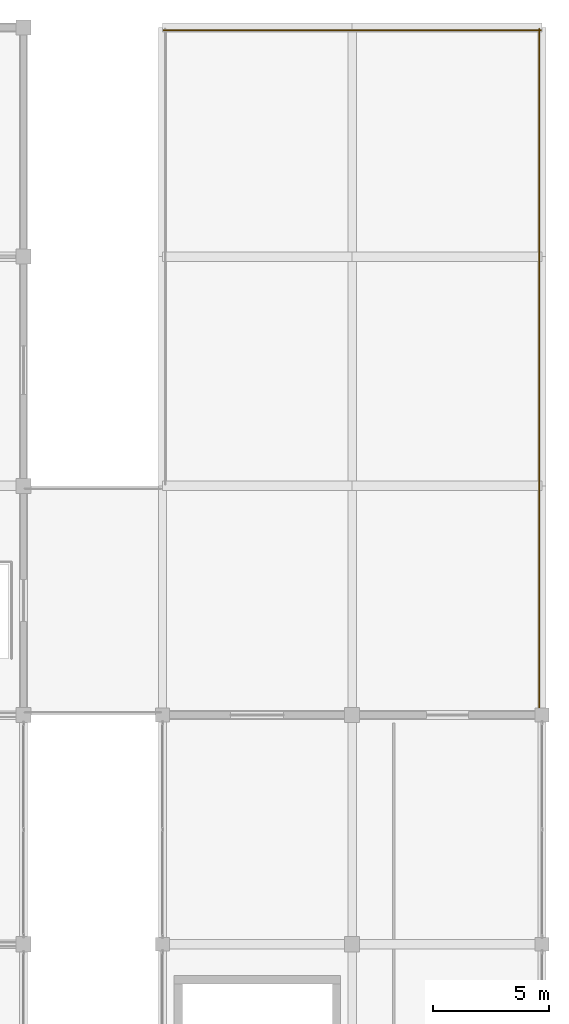
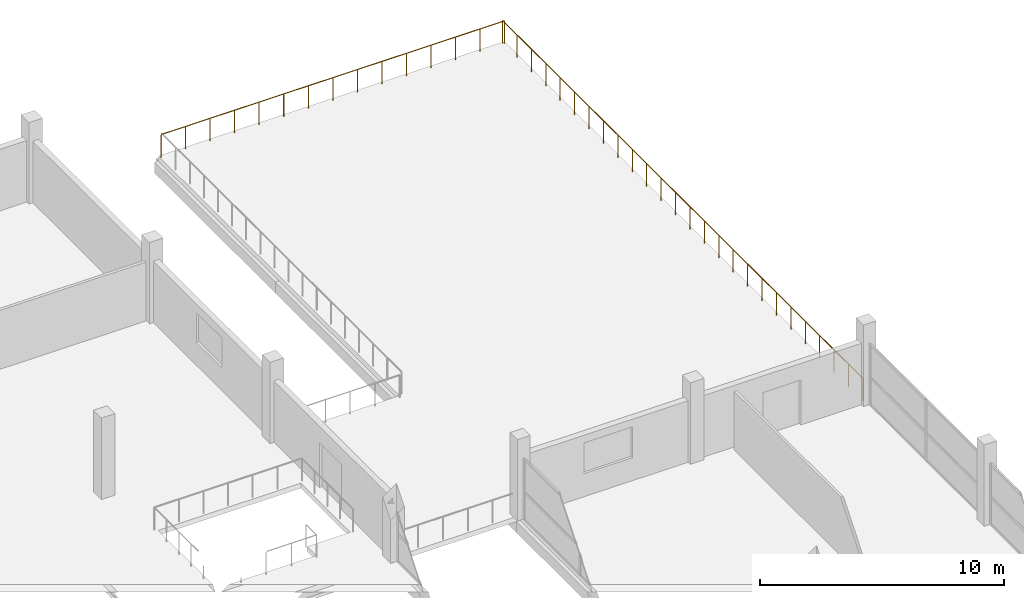
# One storey, part 53 of 53: 2 railings.
"""IFC4 building model written with IfcOpenShell, lengths in metres."""

from ifc_helpers import new_model, si_unit, direction, frame, origin, origin_2d, place, context, subcontext, project, spatial, circle, extrude, material, type_object, element, save


model = new_model("IFC4")

# Units and contexts
model_context = context("Model", 3, precision=1e-05, world=origin(), true_north=direction((0.0, 1.0)))
body_context = subcontext(model_context, "Body", "Model", "MODEL_VIEW")
ifc_project = project(units=[si_unit("LENGTHUNIT", "METRE"), si_unit("AREAUNIT", "SQUARE_METRE"), si_unit("VOLUMEUNIT", "CUBIC_METRE"), si_unit("PLANEANGLEUNIT", "RADIAN"), si_unit("MASSUNIT", "GRAM", prefix="KILO")], contexts=[model_context])

# Site, building, storey
site_placement = place(None, origin())
site = spatial("IfcSite", under=ifc_project, at=site_placement, CompositionType="ELEMENT")
building_placement = place(site_placement, origin())
building = spatial("IfcBuilding", under=site, at=building_placement, Name="Sillaruma Civic Art Gallery", CompositionType="ELEMENT")
storey_placement = place(building_placement, frame((0.0, 0.0, 70.3798828125)))
storey = spatial("IfcBuildingStorey", under=building, at=storey_placement, Name="L14", CompositionType="ELEMENT", Elevation=70.3798828125)

# Railings
ifc_material = material(Name="Stainless Steel AISI 316", Category="steel")
railing_type = type_object("IfcRailingType", Name="RAL-BAL-1150", PredefinedType="BALUSTRADE", material=ifc_material)
railing_1_placement = place(storey_placement, frame((114.280029296875, 69.360107421875, 0.0)))
element("IfcRailing", 1, at=railing_1_placement, inside=storey, type_object=railing_type, Name="Sculpture Terrace Balustrade (SLB-L14-TER-EAST-1)", PredefinedType="BALUSTRADE", context=body_context, shape_type="SweptSolid", body=[
    extrude(circle(Radius=0.02392578125, at=origin_2d()), frame((0.0, 0.0, 1.1259765625), z_axis=(0.0, 1.0, 0.0), x_axis=(-1.0, 0.0, 0.0)), (0.0, 0.0, 1.0), 29.579833984375),
    extrude(circle(Radius=0.02099609375, at=origin_2d()), origin(), (0.0, 0.0, 1.0), 1.101806640625),
    extrude(circle(Radius=0.02099609375, at=origin_2d()), frame((0.0, 1.18310546875, 0.0)), (0.0, 0.0, 1.0), 1.101806640625),
    extrude(circle(Radius=0.02099609375, at=origin_2d()), frame((0.0, 2.366455078125, 0.0)), (0.0, 0.0, 1.0), 1.101806640625),
    extrude(circle(Radius=0.02099609375, at=origin_2d()), frame((0.0, 3.549560546875, 0.0)), (0.0, 0.0, 1.0), 1.101806640625),
    extrude(circle(Radius=0.02099609375, at=origin_2d()), frame((0.0, 4.732666015625, 0.0)), (0.0, 0.0, 1.0), 1.101806640625),
    extrude(circle(Radius=0.02099609375, at=origin_2d()), frame((0.0, 5.916015625, 0.0)), (0.0, 0.0, 1.0), 1.101806640625),
    extrude(circle(Radius=0.02099609375, at=origin_2d()), frame((0.0, 7.09912109375, 0.0)), (0.0, 0.0, 1.0), 1.101806640625),
    extrude(circle(Radius=0.02099609375, at=origin_2d()), frame((0.0, 8.282470703125, 0.0)), (0.0, 0.0, 1.0), 1.101806640625),
    extrude(circle(Radius=0.02099609375, at=origin_2d()), frame((0.0, 9.465576171875, 0.0)), (0.0, 0.0, 1.0), 1.101806640625),
    extrude(circle(Radius=0.02099609375, at=origin_2d()), frame((0.0, 10.648681640625, 0.0)), (0.0, 0.0, 1.0), 1.101806640625),
    extrude(circle(Radius=0.02099609375, at=origin_2d()), frame((0.0, 11.83203125, 0.0)), (0.0, 0.0, 1.0), 1.101806640625),
    extrude(circle(Radius=0.02099609375, at=origin_2d()), frame((0.0, 13.01513671875, 0.0)), (0.0, 0.0, 1.0), 1.101806640625),
    extrude(circle(Radius=0.02099609375, at=origin_2d()), frame((0.0, 14.1982421875, 0.0)), (0.0, 0.0, 1.0), 1.101806640625),
    extrude(circle(Radius=0.02099609375, at=origin_2d()), frame((0.0, 15.381591796875, 0.0)), (0.0, 0.0, 1.0), 1.101806640625),
    extrude(circle(Radius=0.02099609375, at=origin_2d()), frame((0.0, 16.564697265625, 0.0)), (0.0, 0.0, 1.0), 1.101806640625),
    extrude(circle(Radius=0.02099609375, at=origin_2d()), frame((0.0, 17.747802734375, 0.0)), (0.0, 0.0, 1.0), 1.101806640625),
    extrude(circle(Radius=0.02099609375, at=origin_2d()), frame((0.0, 18.93115234375, 0.0)), (0.0, 0.0, 1.0), 1.101806640625),
    extrude(circle(Radius=0.02099609375, at=origin_2d()), frame((0.0, 20.1142578125, 0.0)), (0.0, 0.0, 1.0), 1.101806640625),
    extrude(circle(Radius=0.02099609375, at=origin_2d()), frame((0.0, 21.29736328125, 0.0)), (0.0, 0.0, 1.0), 1.101806640625),
    extrude(circle(Radius=0.02099609375, at=origin_2d()), frame((0.0, 22.480712890625, 0.0)), (0.0, 0.0, 1.0), 1.101806640625),
    extrude(circle(Radius=0.02099609375, at=origin_2d()), frame((0.0, 23.663818359375, 0.0)), (0.0, 0.0, 1.0), 1.101806640625),
    extrude(circle(Radius=0.02099609375, at=origin_2d()), frame((0.0, 24.84716796875, 0.0)), (0.0, 0.0, 1.0), 1.101806640625),
    extrude(circle(Radius=0.02099609375, at=origin_2d()), frame((0.0, 26.0302734375, 0.0)), (0.0, 0.0, 1.0), 1.101806640625),
    extrude(circle(Radius=0.02099609375, at=origin_2d()), frame((0.0, 27.21337890625, 0.0)), (0.0, 0.0, 1.0), 1.101806640625),
    extrude(circle(Radius=0.02099609375, at=origin_2d()), frame((0.0, 28.396728515625, 0.0)), (0.0, 0.0, 1.0), 1.101806640625),
    extrude(circle(Radius=0.02099609375, at=origin_2d()), frame((0.0, 29.579833984375, 0.0)), (0.0, 0.0, 1.0), 1.101806640625),
])
railing_2_placement = place(storey_placement, frame((98.06005859375, 98.8798828125, 0.0)))
element("IfcRailing", 2, at=railing_2_placement, inside=storey, type_object=railing_type, Name="Sculpture Terrace Balustrade (SLB-L14-TER-EAST-2)", PredefinedType="BALUSTRADE", context=body_context, shape_type="SweptSolid", body=[
    extrude(circle(Radius=0.02392578125, at=origin_2d()), frame((0.0, 0.0, 1.1259765625), z_axis=(1.0, 0.0, 0.0), x_axis=(0.0, 1.0, 0.0)), (0.0, 0.0, 1.0), 16.280029296875),
    extrude(circle(Radius=0.02099609375, at=origin_2d()), origin(), (0.0, 0.0, 1.0), 1.101806640625),
    extrude(circle(Radius=0.02099609375, at=origin_2d()), frame((1.162841796875, 0.0, 0.0)), (0.0, 0.0, 1.0), 1.101806640625),
    extrude(circle(Radius=0.02099609375, at=origin_2d()), frame((2.32568359375, 0.0, 0.0)), (0.0, 0.0, 1.0), 1.101806640625),
    extrude(circle(Radius=0.02099609375, at=origin_2d()), frame((3.488525390625, 0.0, 0.0)), (0.0, 0.0, 1.0), 1.101806640625),
    extrude(circle(Radius=0.02099609375, at=origin_2d()), frame((4.6513671875, 0.0, 0.0)), (0.0, 0.0, 1.0), 1.101806640625),
    extrude(circle(Radius=0.02099609375, at=origin_2d()), frame((5.814208984375, 0.0, 0.0)), (0.0, 0.0, 1.0), 1.101806640625),
    extrude(circle(Radius=0.02099609375, at=origin_2d()), frame((6.97705078125, 0.0, 0.0)), (0.0, 0.0, 1.0), 1.101806640625),
    extrude(circle(Radius=0.02099609375, at=origin_2d()), frame((8.14013671875, 0.0, 0.0)), (0.0, 0.0, 1.0), 1.101806640625),
    extrude(circle(Radius=0.02099609375, at=origin_2d()), frame((9.302978515625, 0.0, 0.0)), (0.0, 0.0, 1.0), 1.101806640625),
    extrude(circle(Radius=0.02099609375, at=origin_2d()), frame((10.4658203125, 0.0, 0.0)), (0.0, 0.0, 1.0), 1.101806640625),
    extrude(circle(Radius=0.02099609375, at=origin_2d()), frame((11.628662109375, 0.0, 0.0)), (0.0, 0.0, 1.0), 1.101806640625),
    extrude(circle(Radius=0.02099609375, at=origin_2d()), frame((12.79150390625, 0.0, 0.0)), (0.0, 0.0, 1.0), 1.101806640625),
    extrude(circle(Radius=0.02099609375, at=origin_2d()), frame((13.954345703125, 0.0, 0.0)), (0.0, 0.0, 1.0), 1.101806640625),
    extrude(circle(Radius=0.02099609375, at=origin_2d()), frame((15.1171875, 0.0, 0.0)), (0.0, 0.0, 1.0), 1.101806640625),
    extrude(circle(Radius=0.02099609375, at=origin_2d()), frame((16.280029296875, 0.0, 0.0)), (0.0, 0.0, 1.0), 1.101806640625),
])

save(model, "model.ifc")
